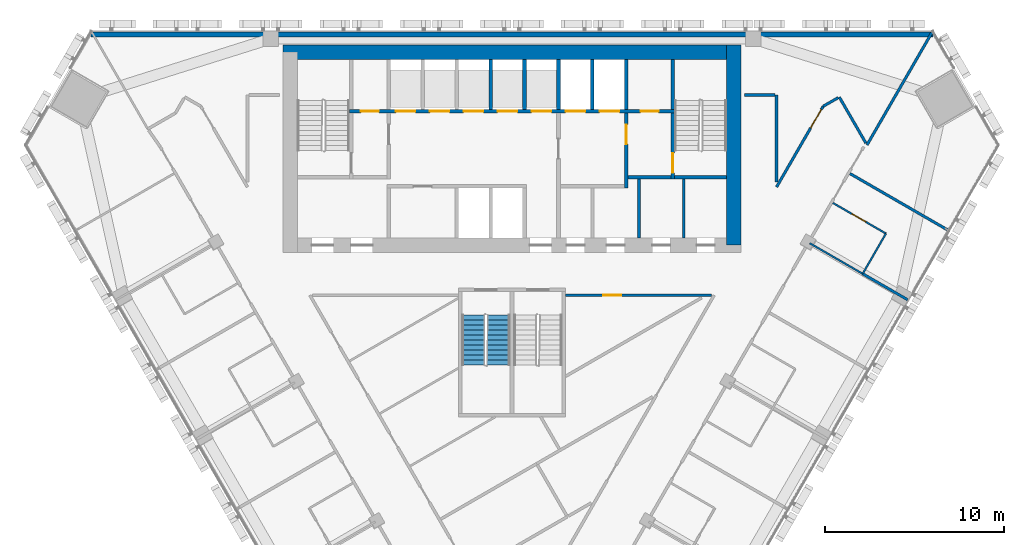
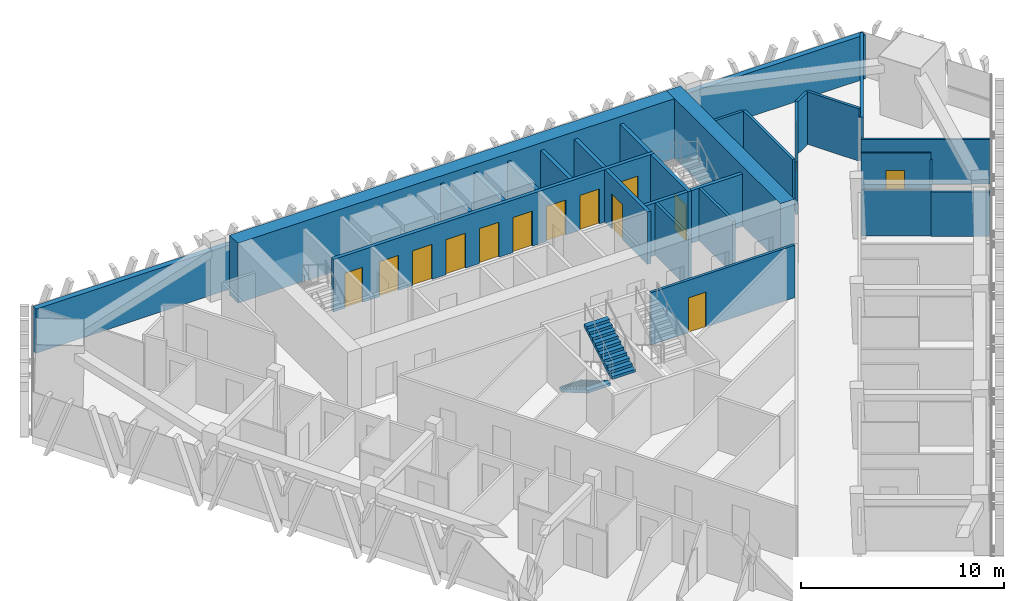
# One storey, part 12 of 16: 28 walls, 14 doors, 2 stair flights, 14 openings, 1 element without a shape of its own.
"""IFC4 building model written with IfcOpenShell, lengths in metres."""

from ifc_helpers import new_model, si_unit, direction, frame, frame_2d, origin, place, context, subcontext, project, spatial, polyline, rectangle, outline, extrude, material, layer, layer_set, type_object, element, fill, aggregate, save


model = new_model("IFC4")

# Units and contexts
model_context = context("Model", 3, precision=1e-05, world=origin(), true_north=direction((0.0, 1.0)))
body_context = subcontext(model_context, "Body", "Model", "MODEL_VIEW")
ifc_project = project(units=[si_unit("LENGTHUNIT", "METRE"), si_unit("AREAUNIT", "SQUARE_METRE"), si_unit("VOLUMEUNIT", "CUBIC_METRE"), si_unit("PLANEANGLEUNIT", "RADIAN"), si_unit("MASSUNIT", "GRAM", prefix="KILO")], contexts=[model_context])

# Site, building, storey
site_placement = place(None, origin())
site = spatial("IfcSite", under=ifc_project, at=site_placement, CompositionType="ELEMENT")
building_placement = place(site_placement, origin())
building = spatial("IfcBuilding", under=site, at=building_placement, Name="Altiplano Prism Tower", CompositionType="ELEMENT")
storey_placement = place(building_placement, frame((0.0, 0.0, 149.39990234375)))
storey = spatial("IfcBuildingStorey", under=building, at=storey_placement, Name="L38", CompositionType="ELEMENT", Elevation=149.39990234375)

# Walls
ifc_material_1 = material(Name="Concrete C60/75", Category="concrete")
ifc_layer_1 = layer(ifc_material_1, 0.800048828125)
ifc_layer_set_1 = layer_set([ifc_layer_1], Name="Concrete C60/75")
wall_type_1 = type_object("IfcWallType", Name="Core wall 800", PredefinedType="SHEAR", material=ifc_layer_set_1)
wall_1_placement = place(storey_placement, frame((97.39990234375, 93.0, 0.0), z_axis=(0.0, 0.0, 1.0), x_axis=(0.0, 1.0, 0.0)))
element("IfcWall", 1, at=wall_1_placement, inside=storey, type_object=wall_type_1, Name="Core wall E L38", PredefinedType="SHEAR", context=body_context, shape_type="SweptSolid", body=[
    extrude(rectangle(XDim=11.199951171875, YDim=0.800048828125, at=frame_2d((5.60009765625, 0.0))), origin(), (0.0, 0.0, 1.0), 3.60009765625),
])
wall_2_placement = place(storey_placement, frame((97.39990234375, 103.800048828125, 0.0), z_axis=(0.0, 0.0, 1.0), x_axis=(-1.0, 0.0, 0.0)))
element("IfcWall", 2, at=wall_2_placement, inside=storey, type_object=wall_type_1, Name="Core wall N L38", PredefinedType="SHEAR", context=body_context, shape_type="SweptSolid", body=[
    extrude(rectangle(XDim=25.199951171875, YDim=0.800048828125, at=frame_2d((12.60009765625, 0.0))), origin(), (0.0, 0.0, 1.0), 3.60009765625),
])

# Wall, opening, door
ifc_material_2 = material(Name="Plasterboard on steel stud", Category="steel")
ifc_layer_2 = layer(ifc_material_2, 0.10009765625)
ifc_layer_set_2 = layer_set([ifc_layer_2], Name="Plasterboard on steel stud")
wall_type_2 = type_object("IfcWallType", Name="Partition 100 unit", PredefinedType="PARTITIONING", material=ifc_layer_set_2)
wall_3_placement = place(storey_placement, frame((102.95263671875, 95.365966796875, 0.0), z_axis=(0.0, 0.0, 1.0), x_axis=(0.866032454348, -0.499987787867, 0.0)))
wall_3 = element("IfcWall", 3, at=wall_3_placement, inside=storey, type_object=wall_type_2, Name="Partition P02 L38 070", PredefinedType="PARTITIONING", context=body_context, shape_type="SweptSolid", body=[
    extrude(rectangle(XDim=3.4248046875, YDim=0.10009765625, at=frame_2d((1.71240234375, 0.0))), origin(), (0.0, 0.0, 1.0), 3.150146484375),
])
opening_1_placement = place(wall_3_placement, frame((1.22509765625, 0.0, 0.0)))
opening_1 = element("IfcOpeningElement", 4, at=opening_1_placement, cuts=wall_3, Name="Opening D1409", PredefinedType="OPENING", context=body_context, shape_type="SweptSolid", body=[
    extrude(rectangle(XDim=0.89990234375, YDim=2.10009765625, at=frame_2d((0.449951171875, 1.050048828125))), frame((0.0, 0.060546875, 0.0), z_axis=(0.0, -1.0, 0.0), x_axis=(1.0, 0.0, 0.0)), (0.0, 0.0, 1.0), 0.12109375),
])
ifc_material_3 = material(Name="Timber", Category="wood")
door_type_1 = type_object("IfcDoorType", Name="Accessible ensuite door 900 x 2100", OperationType="NOTDEFINED", PredefinedType="NOTDEFINED", material=ifc_material_3)
door_1_placement = place(opening_1_placement, origin())
door_1 = element("IfcDoor", 5, at=door_1_placement, inside=storey, type_object=door_type_1, Name="Door D1409", OperationType="SINGLE_SWING_RIGHT", OverallHeight=2.10009765625, OverallWidth=0.89990234375, PredefinedType="NOTDEFINED", context=body_context, shape_type="SweptSolid", body=[
    extrude(rectangle(XDim=0.89990234375, YDim=2.10009765625, at=frame_2d((0.449951171875, 1.050048828125))), frame((0.0, 0.02490234375, 0.0), z_axis=(0.0, -1.0, 0.0), x_axis=(1.0, 0.0, 0.0)), (0.0, 0.0, 1.0), 0.050048828125),
])
fill(opening_1, door_1)

# Walls
wall_4_placement = place(storey_placement, frame((105.918701171875, 93.653564453125, 0.0), z_axis=(0.0, 0.0, 1.0), x_axis=(-0.499936506574, -0.866062058628, 0.0)))
element("IfcWall", 6, at=wall_4_placement, inside=storey, type_object=wall_type_2, Name="Partition P02 L38 071", PredefinedType="PARTITIONING", context=body_context, shape_type="SweptSolid", body=[
    extrude(rectangle(XDim=2.599853515625, YDim=0.10009765625, at=frame_2d((1.2998046875, 0.0))), origin(), (0.0, 0.0, 1.0), 2.75),
])
ifc_layer_3 = layer(ifc_material_2, 0.10009765625)
ifc_layer_set_3 = layer_set([ifc_layer_3], Name="Plasterboard on steel stud")
wall_type_3 = type_object("IfcWallType", Name="Partition 100 wet", PredefinedType="PARTITIONING", material=ifc_layer_set_3)
wall_5_placement = place(storey_placement, frame((104.618896484375, 91.40185546875, 0.0), z_axis=(0.0, 0.0, 1.0), x_axis=(-0.866019409031, 0.500010383074, 0.0)))
element("IfcWall", 7, at=wall_5_placement, inside=storey, type_object=wall_type_3, Name="Partition P03 L38 069", PredefinedType="PARTITIONING", context=body_context, shape_type="SweptSolid", body=[
    extrude(rectangle(XDim=3.42529296875, YDim=0.10009765625, at=frame_2d((1.712646484375, 0.0))), origin(), (0.0, 0.0, 1.0), 2.75),
])

# Wall, opening, door
ifc_layer_4 = layer(ifc_material_2, 0.14990234375)
ifc_layer_set_4 = layer_set([ifc_layer_4], Name="Plasterboard on steel stud")
wall_type_4 = type_object("IfcWallType", Name="Partition 150 corridor", PredefinedType="PARTITIONING", material=ifc_layer_set_4)
wall_6_placement = place(storey_placement, frame((88.0, 90.199951171875, 0.0), z_axis=(0.0, 0.0, 1.0), x_axis=(1.0, 0.0, 0.0)))
wall_6 = element("IfcWall", 8, at=wall_6_placement, inside=storey, type_object=wall_type_4, Name="Partition P06 L38 002", PredefinedType="PARTITIONING", context=body_context, shape_type="SweptSolid", body=[
    extrude(rectangle(XDim=8.174072265625, YDim=0.14990234375, at=frame_2d((4.0869140625, 0.0))), origin(), (0.0, 0.0, 1.0), 3.150146484375),
])
opening_2_placement = place(wall_6_placement, frame((2.115966796875, 0.0, 0.0)))
opening_2 = element("IfcOpeningElement", 9, at=opening_2_placement, cuts=wall_6, Name="Opening D1377", PredefinedType="OPENING", context=body_context, shape_type="SweptSolid", body=[
    extrude(rectangle(XDim=1.0, YDim=2.10009765625, at=frame_2d((0.5, 1.050048828125))), frame((0.0, 0.08544921875, 0.0), z_axis=(0.0, -1.0, 0.0), x_axis=(1.0, 0.0, 0.0)), (0.0, 0.0, 1.0), 0.1708984375),
])
door_type_2 = type_object("IfcDoorType", Name="Store door 1000 x 2100", OperationType="NOTDEFINED", PredefinedType="NOTDEFINED", material=ifc_material_3)
door_2_placement = place(opening_2_placement, origin())
door_2 = element("IfcDoor", 10, at=door_2_placement, inside=storey, type_object=door_type_2, Name="Door D1377", OperationType="SINGLE_SWING_LEFT", OverallHeight=2.10009765625, OverallWidth=1.0, PredefinedType="NOTDEFINED", context=body_context, shape_type="SweptSolid", body=[
    extrude(rectangle(XDim=1.0, YDim=2.10009765625, at=frame_2d((0.5, 1.050048828125))), frame((0.0, 0.02490234375, 0.0), z_axis=(0.0, -1.0, 0.0), x_axis=(1.0, 0.0, 0.0)), (0.0, 0.0, 1.0), 0.050048828125),
])
fill(opening_2, door_2)

# Walls
wall_7_placement = place(storey_placement, frame((104.798095703125, 98.712158203125, 0.0), z_axis=(0.0, 0.0, 1.0), x_axis=(-0.500001626982, 0.866024464444, 0.0)))
element("IfcWall", 11, at=wall_7_placement, inside=storey, type_object=wall_type_4, Name="Partition P06 L38 008", PredefinedType="PARTITIONING", context=body_context, shape_type="SweptSolid", body=[
    extrude(rectangle(XDim=2.9775390625, YDim=0.14990234375, at=frame_2d((1.48876953125, 0.0))), origin(), (0.0, 0.0, 1.0), 3.150146484375),
])
wall_8_placement = place(storey_placement, frame((103.244384765625, 101.253173828125, 0.0), z_axis=(0.0, 0.0, 1.0), x_axis=(-0.866093196455, -0.499882561262, 0.0)))
element("IfcWall", 12, at=wall_8_placement, inside=storey, type_object=wall_type_4, Name="Partition P06 L38 009", PredefinedType="PARTITIONING", context=body_context, shape_type="SweptSolid", body=[
    extrude(rectangle(XDim=0.968017578125, YDim=0.14990234375, at=frame_2d((0.48388671875, 0.0))), origin(), (0.0, 0.0, 1.0), 3.150146484375),
])

# Wall, opening, door
wall_9_placement = place(storey_placement, frame((102.406005859375, 100.769287109375, 0.0), z_axis=(0.0, 0.0, 1.0), x_axis=(-0.499977898262, -0.866038163853, 0.0)))
wall_9 = element("IfcWall", 13, at=wall_9_placement, inside=storey, type_object=wall_type_4, Name="Partition P06 L38 010", PredefinedType="PARTITIONING", context=body_context, shape_type="SweptSolid", body=[
    extrude(rectangle(XDim=5.212158203125, YDim=0.14990234375, at=frame_2d((2.60595703125, 0.0))), origin(), (0.0, 0.0, 1.0), 3.150146484375),
])
opening_3_placement = place(wall_9_placement, frame((0.199951171875, 0.0, 0.0)))
opening_3 = element("IfcOpeningElement", 14, at=opening_3_placement, cuts=wall_9, Name="Opening D1411", PredefinedType="OPENING", context=body_context, shape_type="SweptSolid", body=[
    extrude(rectangle(XDim=1.199951171875, YDim=2.10009765625, at=frame_2d((0.60009765625, 1.050048828125))), frame((0.0, 0.08544921875, 0.0), z_axis=(0.0, -1.0, 0.0), x_axis=(1.0, 0.0, 0.0)), (0.0, 0.0, 1.0), 0.1708984375),
])
door_type_3 = type_object("IfcDoorType", Name="Shared room door 1200 x 2100", OperationType="NOTDEFINED", PredefinedType="NOTDEFINED", material=ifc_material_3)
door_3_placement = place(opening_3_placement, origin())
door_3 = element("IfcDoor", 15, at=door_3_placement, inside=storey, type_object=door_type_3, Name="Door D1411", OperationType="SINGLE_SWING_RIGHT", OverallHeight=2.10009765625, OverallWidth=1.199951171875, PredefinedType="NOTDEFINED", context=body_context, shape_type="SweptSolid", body=[
    extrude(rectangle(XDim=1.199951171875, YDim=2.10009765625, at=frame_2d((0.60009765625, 1.050048828125))), frame((0.0, 0.02490234375, 0.0), z_axis=(0.0, -1.0, 0.0), x_axis=(1.0, 0.0, 0.0)), (0.0, 0.0, 1.0), 0.050048828125),
])
fill(opening_3, door_3)

# Walls
wall_10_placement = place(storey_placement, frame((99.800048828125, 96.535400390625, 0.0), z_axis=(0.0, 0.0, 1.0), x_axis=(0.0, 1.0, 0.0)))
element("IfcWall", 16, at=wall_10_placement, inside=storey, type_object=wall_type_4, Name="Partition P06 L38 011", PredefinedType="PARTITIONING", context=body_context, shape_type="SweptSolid", body=[
    extrude(rectangle(XDim=4.864501953125, YDim=0.14990234375, at=frame_2d((2.43212890625, 0.0))), origin(), (0.0, 0.0, 1.0), 3.150146484375),
])
wall_11_placement = place(storey_placement, frame((99.72509765625, 101.39990234375, 0.0), z_axis=(0.0, 0.0, 1.0), x_axis=(-1.0, 0.0, 0.0)))
element("IfcWall", 17, at=wall_11_placement, inside=storey, type_object=wall_type_4, Name="Partition P06 L38 012", PredefinedType="PARTITIONING", context=body_context, shape_type="SweptSolid", body=[
    extrude(rectangle(XDim=1.72509765625, YDim=0.14990234375, at=frame_2d((0.862548828125, 0.0))), origin(), (0.0, 0.0, 1.0), 3.150146484375),
])
ifc_layer_5 = layer(ifc_material_2, 0.14990234375)
ifc_layer_set_5 = layer_set([ifc_layer_5], Name="Plasterboard on steel stud")
wall_type_5 = type_object("IfcWallType", Name="Partition 150 party", PredefinedType="PARTITIONING", material=ifc_layer_set_5)
wall_12_placement = place(storey_placement, frame((107.13037109375, 89.951904296875, 0.0), z_axis=(0.0, 0.0, 1.0), x_axis=(-0.866032775405, 0.499987231761, 0.0)))
element("IfcWall", 18, at=wall_12_placement, inside=storey, type_object=wall_type_5, Name="Partition P01 L38 068", PredefinedType="PARTITIONING", context=body_context, shape_type="SweptSolid", body=[
    extrude(rectangle(XDim=2.89990234375, YDim=0.14990234375, at=frame_2d((1.449951171875, 0.0))), origin(), (0.0, 0.0, 1.0), 2.650146484375),
])
wall_13_placement = place(storey_placement, frame((109.397705078125, 93.8388671875, 0.0), z_axis=(0.0, 0.0, 1.0), x_axis=(-0.866025401434, 0.500000004071, 0.0)))
element("IfcWall", 19, at=wall_13_placement, inside=storey, type_object=wall_type_5, Name="Partition P01 L38 072", PredefinedType="PARTITIONING", context=body_context, shape_type="SweptSolid", body=[
    extrude(rectangle(XDim=6.34521484375, YDim=0.14990234375, at=frame_2d((3.172607421875, 0.0))), origin(), (0.0, 0.0, 1.0), 2.650146484375),
])
wall_14_placement = place(storey_placement, frame((108.492919921875, 104.89990234375, 0.0), z_axis=(0.0, 0.0, 1.0), x_axis=(-0.500012280482, -0.866018313528, 0.0)))
element("IfcWall", 20, at=wall_14_placement, inside=storey, type_object=wall_type_5, Name="Partition P01 L38 073", PredefinedType="PARTITIONING", context=body_context, shape_type="SweptSolid", body=[
    extrude(rectangle(XDim=7.267333984375, YDim=0.14990234375, at=frame_2d((3.6337890625, 0.0))), origin(), (0.0, 0.0, 1.0), 2.650146484375),
])
ifc_material_4 = material(Name="Fire-rated gypsum board partition")
ifc_layer_6 = layer(ifc_material_4, 0.14990234375)
ifc_layer_set_6 = layer_set([ifc_layer_6], Name="Fire-rated gypsum board partition")
wall_type_6 = type_object("IfcWallType", Name="Room partition 150", PredefinedType="PARTITIONING", material=ifc_layer_set_6)
for number, where, z_axis, x_axis, name in (
    (21, (92.10009765625, 93.39990234375, 0.0), (0.0, 0.0, 1.0), (0.0, 1.0, 0.0), "Room partition L38"),
    (22, (94.60009765625, 93.39990234375, 0.0), (0.0, 0.0, 1.0), (0.0, 1.0, 0.0), "Room partition L38"),
):
    element("IfcWall", number, at=place(storey_placement, frame(where, z_axis=z_axis, x_axis=x_axis)), inside=storey, type_object=wall_type_6, Name=name, PredefinedType="PARTITIONING", context=body_context, shape_type="SweptSolid", body=[
        extrude(rectangle(XDim=3.300048828125, YDim=0.14990234375, at=frame_2d((1.64990234375, 0.0))), origin(), (0.0, 0.0, 1.0), 3.150146484375),
    ])
ifc_layer_7 = layer(ifc_material_1, 0.199951171875)
ifc_layer_set_7 = layer_set([ifc_layer_7], Name="Concrete C60/75")
wall_type_7 = type_object("IfcWallType", Name="Shaft wall 200", PredefinedType="SOLIDWALL", material=ifc_layer_set_7)
for number, where, z_axis, x_axis, name in (
    (23, (83.800048828125, 100.60009765625, 0.0), (0.0, 0.0, 1.0), (0.0, 1.0, 0.0), "Shaft wall L38"),
    (24, (85.699951171875, 100.60009765625, 0.0), (0.0, 0.0, 1.0), (0.0, 1.0, 0.0), "Shaft wall L38"),
    (25, (87.60009765625, 100.60009765625, 0.0), (0.0, 0.0, 1.0), (0.0, 1.0, 0.0), "Shaft wall L38"),
    (26, (89.5, 100.60009765625, 0.0), (0.0, 0.0, 1.0), (0.0, 1.0, 0.0), "Shaft wall L38"),
    (27, (91.39990234375, 100.60009765625, 0.0), (0.0, 0.0, 1.0), (0.0, 1.0, 0.0), "Shaft wall L38"),
):
    element("IfcWall", number, at=place(storey_placement, frame(where, z_axis=z_axis, x_axis=x_axis)), inside=storey, type_object=wall_type_7, Name=name, PredefinedType="SOLIDWALL", context=body_context, shape_type="SweptSolid", body=[
        extrude(rectangle(XDim=2.7998046875, YDim=0.199951171875, at=frame_2d((1.39990234375, 0.0))), origin(), (0.0, 0.0, 1.0), 3.150146484375),
    ])

# Wall, opening, door
ifc_layer_8 = layer(ifc_material_1, 0.199951171875)
ifc_layer_set_8 = layer_set([ifc_layer_8], Name="Concrete C60/75")
wall_type_8 = type_object("IfcWallType", Name="Stair wall 200", PredefinedType="SOLIDWALL", material=ifc_layer_set_8)
wall_15_placement = place(storey_placement, frame((94.0, 96.699951171875, 0.0), z_axis=(0.0, 0.0, 1.0), x_axis=(0.0, 1.0, 0.0)))
wall_15 = element("IfcWall", 28, at=wall_15_placement, inside=storey, type_object=wall_type_8, Name="Stair wall L38", PredefinedType="SOLIDWALL", context=body_context, shape_type="SweptSolid", body=[
    extrude(rectangle(XDim=3.699951171875, YDim=0.199951171875, at=frame_2d((1.85009765625, 0.0))), origin(), (0.0, 0.0, 1.0), 3.150146484375),
])
opening_4_placement = place(wall_15_placement, frame((0.35009765625, 0.0, 0.0)))
opening_4 = element("IfcOpeningElement", 29, at=opening_4_placement, cuts=wall_15, Name="Opening D3098", PredefinedType="OPENING", context=body_context, shape_type="SweptSolid", body=[
    extrude(rectangle(XDim=1.10009765625, YDim=2.10009765625, at=frame_2d((0.550048828125, 1.050048828125))), frame((0.0, 0.1103515625, 0.0), z_axis=(0.0, -1.0, 0.0), x_axis=(1.0, 0.0, 0.0)), (0.0, 0.0, 1.0), 0.220947265625),
])
ifc_material_5 = material(Name="Fire-rated steel door", Category="steel")
door_type_4 = type_object("IfcDoorType", Name="Stair fire door 1100 x 2100", OperationType="NOTDEFINED", PredefinedType="NOTDEFINED", material=ifc_material_5)
door_4_placement = place(opening_4_placement, origin())
door_4 = element("IfcDoor", 30, at=door_4_placement, inside=storey, type_object=door_type_4, Name="Stair fire door D3098", OperationType="SINGLE_SWING_LEFT", OverallHeight=2.10009765625, OverallWidth=1.10009765625, PredefinedType="NOTDEFINED", context=body_context, shape_type="SweptSolid", body=[
    extrude(rectangle(XDim=1.10009765625, YDim=2.10009765625, at=frame_2d((0.550048828125, 1.050048828125))), frame((0.0, 0.02490234375, 0.0), z_axis=(0.0, -1.0, 0.0), x_axis=(1.0, 0.0, 0.0)), (0.0, 0.0, 1.0), 0.050048828125),
])
fill(opening_4, door_4)

# Wall
wall_16_placement = place(storey_placement, frame((94.10009765625, 96.800048828125, 0.0), z_axis=(0.0, 0.0, 1.0), x_axis=(1.0, 0.0, 0.0)))
element("IfcWall", 31, at=wall_16_placement, inside=storey, type_object=wall_type_8, Name="Stair wall L38", PredefinedType="SOLIDWALL", context=body_context, shape_type="SweptSolid", body=[
    extrude(rectangle(XDim=2.89990234375, YDim=0.199951171875, at=frame_2d((1.449951171875, 0.0))), origin(), (0.0, 0.0, 1.0), 3.150146484375),
])

# Wall, openings, doors
wall_17_placement = place(storey_placement, frame((75.89990234375, 100.5, 0.0), z_axis=(0.0, 0.0, 1.0), x_axis=(1.0, 0.0, 0.0)))
wall_17 = element("IfcWall", 32, at=wall_17_placement, inside=storey, type_object=wall_type_8, Name="Stair wall L38", PredefinedType="SOLIDWALL", context=body_context, shape_type="SweptSolid", body=[
    extrude(rectangle(XDim=18.2001953125, YDim=0.199951171875, at=frame_2d((9.10009765625, 0.0))), origin(), (0.0, 0.0, 1.0), 3.150146484375),
])
opening_5_placement = place(wall_17_placement, frame((2.60009765625, 0.0, 0.0)))
opening_5 = element("IfcOpeningElement", 33, at=opening_5_placement, cuts=wall_17, Name="Opening LD-ML1-L38", PredefinedType="OPENING", context=body_context, shape_type="SweptSolid", body=[
    extrude(rectangle(XDim=1.10009765625, YDim=2.10009765625, at=frame_2d((0.550048828125, 1.050048828125))), frame((0.0, 0.1103515625, 0.0), z_axis=(0.0, -1.0, 0.0), x_axis=(1.0, 0.0, 0.0)), (0.0, 0.0, 1.0), 0.220947265625),
])
opening_6_placement = place(wall_17_placement, frame((4.5, 0.0, 0.0)))
opening_6 = element("IfcOpeningElement", 34, at=opening_6_placement, cuts=wall_17, Name="Opening LD-ML2-L38", PredefinedType="OPENING", context=body_context, shape_type="SweptSolid", body=[
    extrude(rectangle(XDim=1.10009765625, YDim=2.10009765625, at=frame_2d((0.550048828125, 1.050048828125))), frame((0.0, 0.1103515625, 0.0), z_axis=(0.0, -1.0, 0.0), x_axis=(1.0, 0.0, 0.0)), (0.0, 0.0, 1.0), 0.220947265625),
])
opening_7_placement = place(wall_17_placement, frame((6.39990234375, 0.0, 0.0)))
opening_7 = element("IfcOpeningElement", 35, at=opening_7_placement, cuts=wall_17, Name="Opening LD-ML3-L38", PredefinedType="OPENING", context=body_context, shape_type="SweptSolid", body=[
    extrude(rectangle(XDim=1.10009765625, YDim=2.10009765625, at=frame_2d((0.550048828125, 1.050048828125))), frame((0.0, 0.1103515625, 0.0), z_axis=(0.0, -1.0, 0.0), x_axis=(1.0, 0.0, 0.0)), (0.0, 0.0, 1.0), 0.220947265625),
])
opening_8_placement = place(wall_17_placement, frame((8.300048828125, 0.0, 0.0)))
opening_8 = element("IfcOpeningElement", 36, at=opening_8_placement, cuts=wall_17, Name="Opening LD-ML4-L38", PredefinedType="OPENING", context=body_context, shape_type="SweptSolid", body=[
    extrude(rectangle(XDim=1.10009765625, YDim=2.10009765625, at=frame_2d((0.550048828125, 1.050048828125))), frame((0.0, 0.1103515625, 0.0), z_axis=(0.0, -1.0, 0.0), x_axis=(1.0, 0.0, 0.0)), (0.0, 0.0, 1.0), 0.220947265625),
])
opening_9_placement = place(wall_17_placement, frame((10.199951171875, 0.0, 0.0)))
opening_9 = element("IfcOpeningElement", 37, at=opening_9_placement, cuts=wall_17, Name="Opening LD-ML5-L38", PredefinedType="OPENING", context=body_context, shape_type="SweptSolid", body=[
    extrude(rectangle(XDim=1.10009765625, YDim=2.10009765625, at=frame_2d((0.550048828125, 1.050048828125))), frame((0.0, 0.1103515625, 0.0), z_axis=(0.0, -1.0, 0.0), x_axis=(1.0, 0.0, 0.0)), (0.0, 0.0, 1.0), 0.220947265625),
])
opening_10_placement = place(wall_17_placement, frame((12.10009765625, 0.0, 0.0)))
opening_10 = element("IfcOpeningElement", 38, at=opening_10_placement, cuts=wall_17, Name="Opening LD-FF1-L38", PredefinedType="OPENING", context=body_context, shape_type="SweptSolid", body=[
    extrude(rectangle(XDim=1.10009765625, YDim=2.10009765625, at=frame_2d((0.550048828125, 1.050048828125))), frame((0.0, 0.1103515625, 0.0), z_axis=(0.0, -1.0, 0.0), x_axis=(1.0, 0.0, 0.0)), (0.0, 0.0, 1.0), 0.220947265625),
])
opening_11_placement = place(wall_17_placement, frame((14.0, 0.0, 0.0)))
opening_11 = element("IfcOpeningElement", 39, at=opening_11_placement, cuts=wall_17, Name="Opening LD-FF2-L38", PredefinedType="OPENING", context=body_context, shape_type="SweptSolid", body=[
    extrude(rectangle(XDim=1.10009765625, YDim=2.10009765625, at=frame_2d((0.550048828125, 1.050048828125))), frame((0.0, 0.1103515625, 0.0), z_axis=(0.0, -1.0, 0.0), x_axis=(1.0, 0.0, 0.0)), (0.0, 0.0, 1.0), 0.220947265625),
])
opening_12_placement = place(wall_17_placement, frame((0.64990234375, 0.0, 0.0)))
opening_12 = element("IfcOpeningElement", 40, at=opening_12_placement, cuts=wall_17, Name="Opening D3105", PredefinedType="OPENING", context=body_context, shape_type="SweptSolid", body=[
    extrude(rectangle(XDim=1.0, YDim=2.10009765625, at=frame_2d((0.5, 1.050048828125))), frame((0.0, 0.1103515625, 0.0), z_axis=(0.0, -1.0, 0.0), x_axis=(1.0, 0.0, 0.0)), (0.0, 0.0, 1.0), 0.220947265625),
])
opening_13_placement = place(wall_17_placement, frame((16.300048828125, 0.0, 0.0)))
opening_13 = element("IfcOpeningElement", 41, at=opening_13_placement, cuts=wall_17, Name="Opening D3106", PredefinedType="OPENING", context=body_context, shape_type="SweptSolid", body=[
    extrude(rectangle(XDim=1.0, YDim=2.10009765625, at=frame_2d((0.5, 1.050048828125))), frame((0.0, 0.1103515625, 0.0), z_axis=(0.0, -1.0, 0.0), x_axis=(1.0, 0.0, 0.0)), (0.0, 0.0, 1.0), 0.220947265625),
])
door_type_5 = type_object("IfcDoorType", Name="Core room door 1000 x 2100", OperationType="NOTDEFINED", PredefinedType="NOTDEFINED", material=ifc_material_5)
door_5_placement = place(opening_12_placement, origin())
door_5 = element("IfcDoor", 42, at=door_5_placement, inside=storey, type_object=door_type_5, Name="Core room door D3105", OperationType="SINGLE_SWING_LEFT", OverallHeight=2.10009765625, OverallWidth=1.0, PredefinedType="NOTDEFINED", context=body_context, shape_type="SweptSolid", body=[
    extrude(rectangle(XDim=1.0, YDim=2.10009765625, at=frame_2d((0.5, 1.050048828125))), frame((0.0, 0.02490234375, 0.0), z_axis=(0.0, -1.0, 0.0), x_axis=(1.0, 0.0, 0.0)), (0.0, 0.0, 1.0), 0.050048828125),
])
fill(opening_12, door_5)
door_6_placement = place(opening_13_placement, origin())
door_6 = element("IfcDoor", 43, at=door_6_placement, inside=storey, type_object=door_type_5, Name="Core room door D3106", OperationType="SINGLE_SWING_RIGHT", OverallHeight=2.10009765625, OverallWidth=1.0, PredefinedType="NOTDEFINED", context=body_context, shape_type="SweptSolid", body=[
    extrude(rectangle(XDim=1.0, YDim=2.10009765625, at=frame_2d((0.5, 1.050048828125))), frame((0.0, 0.02490234375, 0.0), z_axis=(0.0, -1.0, 0.0), x_axis=(1.0, 0.0, 0.0)), (0.0, 0.0, 1.0), 0.050048828125),
])
fill(opening_13, door_6)
ifc_material_6 = material(Name="Stainless steel landing door", Category="steel")
door_type_6 = type_object("IfcDoorType", Name="Landing door 1100 x 2100", OperationType="NOTDEFINED", PredefinedType="NOTDEFINED", material=ifc_material_6)
door_7_placement = place(opening_5_placement, origin())
door_7 = element("IfcDoor", 44, at=door_7_placement, inside=storey, type_object=door_type_6, Name="Landing doors ML1", OperationType="SLIDING_TO_RIGHT", OverallHeight=2.10009765625, OverallWidth=1.10009765625, PredefinedType="NOTDEFINED", context=body_context, shape_type="SweptSolid", body=[
    extrude(rectangle(XDim=1.10009765625, YDim=2.10009765625, at=frame_2d((0.550048828125, 1.050048828125))), frame((0.0, 0.02490234375, 0.0), z_axis=(0.0, -1.0, 0.0), x_axis=(1.0, 0.0, 0.0)), (0.0, 0.0, 1.0), 0.050048828125),
])
fill(opening_5, door_7)
door_8_placement = place(opening_6_placement, origin())
door_8 = element("IfcDoor", 45, at=door_8_placement, inside=storey, type_object=door_type_6, Name="Landing doors ML2", OperationType="SLIDING_TO_LEFT", OverallHeight=2.10009765625, OverallWidth=1.10009765625, PredefinedType="NOTDEFINED", context=body_context, shape_type="SweptSolid", body=[
    extrude(rectangle(XDim=1.10009765625, YDim=2.10009765625, at=frame_2d((0.550048828125, 1.050048828125))), frame((0.0, 0.02490234375, 0.0), z_axis=(0.0, -1.0, 0.0), x_axis=(1.0, 0.0, 0.0)), (0.0, 0.0, 1.0), 0.050048828125),
])
fill(opening_6, door_8)
door_9_placement = place(opening_7_placement, origin())
door_9 = element("IfcDoor", 46, at=door_9_placement, inside=storey, type_object=door_type_6, Name="Landing doors ML3", OperationType="SLIDING_TO_RIGHT", OverallHeight=2.10009765625, OverallWidth=1.10009765625, PredefinedType="NOTDEFINED", context=body_context, shape_type="SweptSolid", body=[
    extrude(rectangle(XDim=1.10009765625, YDim=2.10009765625, at=frame_2d((0.550048828125, 1.050048828125))), frame((0.0, 0.02490234375, 0.0), z_axis=(0.0, -1.0, 0.0), x_axis=(1.0, 0.0, 0.0)), (0.0, 0.0, 1.0), 0.050048828125),
])
fill(opening_7, door_9)
door_10_placement = place(opening_8_placement, origin())
door_10 = element("IfcDoor", 47, at=door_10_placement, inside=storey, type_object=door_type_6, Name="Landing doors ML4", OperationType="SLIDING_TO_LEFT", OverallHeight=2.10009765625, OverallWidth=1.10009765625, PredefinedType="NOTDEFINED", context=body_context, shape_type="SweptSolid", body=[
    extrude(rectangle(XDim=1.10009765625, YDim=2.10009765625, at=frame_2d((0.550048828125, 1.050048828125))), frame((0.0, 0.02490234375, 0.0), z_axis=(0.0, -1.0, 0.0), x_axis=(1.0, 0.0, 0.0)), (0.0, 0.0, 1.0), 0.050048828125),
])
fill(opening_8, door_10)
door_11_placement = place(opening_9_placement, origin())
door_11 = element("IfcDoor", 48, at=door_11_placement, inside=storey, type_object=door_type_6, Name="Landing doors ML5", OperationType="SLIDING_TO_RIGHT", OverallHeight=2.10009765625, OverallWidth=1.10009765625, PredefinedType="NOTDEFINED", context=body_context, shape_type="SweptSolid", body=[
    extrude(rectangle(XDim=1.10009765625, YDim=2.10009765625, at=frame_2d((0.550048828125, 1.050048828125))), frame((0.0, 0.02490234375, 0.0), z_axis=(0.0, -1.0, 0.0), x_axis=(1.0, 0.0, 0.0)), (0.0, 0.0, 1.0), 0.050048828125),
])
fill(opening_9, door_11)
door_12_placement = place(opening_10_placement, origin())
door_12 = element("IfcDoor", 49, at=door_12_placement, inside=storey, type_object=door_type_6, Name="Landing doors FF1", OperationType="SLIDING_TO_RIGHT", OverallHeight=2.10009765625, OverallWidth=1.10009765625, PredefinedType="NOTDEFINED", context=body_context, shape_type="SweptSolid", body=[
    extrude(rectangle(XDim=1.10009765625, YDim=2.10009765625, at=frame_2d((0.550048828125, 1.050048828125))), frame((0.0, 0.02490234375, 0.0), z_axis=(0.0, -1.0, 0.0), x_axis=(1.0, 0.0, 0.0)), (0.0, 0.0, 1.0), 0.050048828125),
])
fill(opening_10, door_12)
door_13_placement = place(opening_11_placement, origin())
door_13 = element("IfcDoor", 50, at=door_13_placement, inside=storey, type_object=door_type_6, Name="Landing doors FF2", OperationType="SLIDING_TO_LEFT", OverallHeight=2.10009765625, OverallWidth=1.10009765625, PredefinedType="NOTDEFINED", context=body_context, shape_type="SweptSolid", body=[
    extrude(rectangle(XDim=1.10009765625, YDim=2.10009765625, at=frame_2d((0.550048828125, 1.050048828125))), frame((0.0, 0.02490234375, 0.0), z_axis=(0.0, -1.0, 0.0), x_axis=(1.0, 0.0, 0.0)), (0.0, 0.0, 1.0), 0.050048828125),
])
fill(opening_11, door_13)

# Walls
wall_18_placement = place(storey_placement, frame((94.0, 100.60009765625, 0.0), z_axis=(0.0, 0.0, 1.0), x_axis=(0.0, 1.0, 0.0)))
element("IfcWall", 51, at=wall_18_placement, inside=storey, type_object=wall_type_8, Name="Stair wall L38", PredefinedType="SOLIDWALL", context=body_context, shape_type="SweptSolid", body=[
    extrude(rectangle(XDim=2.7998046875, YDim=0.199951171875, at=frame_2d((1.39990234375, 0.0))), origin(), (0.0, 0.0, 1.0), 3.150146484375),
])
ifc_material_7 = material(Name="Concrete C40", Category="concrete")
ifc_layer_9 = layer(ifc_material_7, 0.300048828125)
ifc_layer_set_9 = layer_set([ifc_layer_9], Name="Concrete C40")
wall_type_9 = type_object("IfcWallType", Name="Stone-clad external wall 300", PredefinedType="SOLIDWALL", material=ifc_layer_set_9)
wall_19_placement = place(storey_placement, frame((61.44921875, 104.7900390625, 0.0), z_axis=(0.0, 0.0, 1.0), x_axis=(1.0, 0.0, 0.0)))
element("IfcWall", 52, at=wall_19_placement, inside=storey, type_object=wall_type_9, Name="External wall north face L38", PredefinedType="SOLIDWALL", context=body_context, shape_type="SweptSolid", body=[
    extrude(rectangle(XDim=47.1015625, YDim=0.300048828125, at=frame_2d((23.55078125, 0.0))), origin(), (0.0, 0.0, 1.0), 2.650146484375),
])

# Wall, opening, door
ifc_layer_10 = layer(ifc_material_1, 0.199951171875)
ifc_layer_set_10 = layer_set([ifc_layer_10], Name="Concrete C60/75")
wall_type_10 = type_object("IfcWallType", Name="Vestibule wall 200", PredefinedType="PARTITIONING", material=ifc_layer_set_10)
wall_20_placement = place(storey_placement, frame((91.39990234375, 96.199951171875, 0.0), z_axis=(0.0, 0.0, 1.0), x_axis=(0.0, 1.0, 0.0)))
wall_20 = element("IfcWall", 53, at=wall_20_placement, inside=storey, type_object=wall_type_10, Name="Vestibule wall L38", PredefinedType="PARTITIONING", context=body_context, shape_type="SweptSolid", body=[
    extrude(rectangle(XDim=4.199951171875, YDim=0.199951171875, at=frame_2d((2.10009765625, 0.0))), origin(), (0.0, 0.0, 1.0), 3.150146484375),
])
opening_14_placement = place(wall_20_placement, frame((2.449951171875, 0.0, 0.0)))
opening_14 = element("IfcOpeningElement", 54, at=opening_14_placement, cuts=wall_20, Name="Opening D3101", PredefinedType="OPENING", context=body_context, shape_type="SweptSolid", body=[
    extrude(rectangle(XDim=1.10009765625, YDim=2.10009765625, at=frame_2d((0.550048828125, 1.050048828125))), frame((0.0, 0.1103515625, 0.0), z_axis=(0.0, -1.0, 0.0), x_axis=(1.0, 0.0, 0.0)), (0.0, 0.0, 1.0), 0.220947265625),
])
door_type_7 = type_object("IfcDoorType", Name="Vestibule fire door 1100 x 2100", OperationType="NOTDEFINED", PredefinedType="NOTDEFINED", material=ifc_material_5)
door_14_placement = place(opening_14_placement, origin())
door_14 = element("IfcDoor", 55, at=door_14_placement, inside=storey, type_object=door_type_7, Name="Vestibule fire door D3101", OperationType="SINGLE_SWING_LEFT", OverallHeight=2.10009765625, OverallWidth=1.10009765625, PredefinedType="NOTDEFINED", context=body_context, shape_type="SweptSolid", body=[
    extrude(rectangle(XDim=1.10009765625, YDim=2.10009765625, at=frame_2d((0.550048828125, 1.050048828125))), frame((0.0, 0.02490234375, 0.0), z_axis=(0.0, -1.0, 0.0), x_axis=(1.0, 0.0, 0.0)), (0.0, 0.0, 1.0), 0.050048828125),
])
fill(opening_14, door_14)

# Wall
wall_21_placement = place(storey_placement, frame((91.5, 96.800048828125, 0.0), z_axis=(0.0, 0.0, 1.0), x_axis=(1.0, 0.0, 0.0)))
element("IfcWall", 56, at=wall_21_placement, inside=storey, type_object=wall_type_10, Name="Vestibule wall L38", PredefinedType="PARTITIONING", context=body_context, shape_type="SweptSolid", body=[
    extrude(rectangle(XDim=2.39990234375, YDim=0.199951171875, at=frame_2d((1.199951171875, 0.0))), origin(), (0.0, 0.0, 1.0), 3.150146484375),
])

# Stair, stair flights
ifc_material_8 = material(Name="Concrete C40/50", Category="concrete")
stair_type = type_object("IfcStairType", Name="Exit stair 1300", PredefinedType="HALF_TURN_STAIR", material=ifc_material_8)
stair_placement = place(storey_placement, origin())
stair = element("IfcStair", 57, at=stair_placement, inside=storey, type_object=stair_type, Name="L38 Exit Stair 3A", PredefinedType="HALF_TURN_STAIR")
stair_flight_type = type_object("IfcStairFlightType", Name="Stair flight concrete 150", PredefinedType="STRAIGHT", material=ifc_material_8)
stair_flight_1_placement = place(storey_placement, frame((82.85009765625, 89.10009765625, 0.0), z_axis=(0.0, 0.0, 1.0), x_axis=(0.0, -1.0, 0.0)))
stair_flight_1 = element("IfcStairFlight", 58, at=stair_flight_1_placement, type_object=stair_flight_type, Name="ST3A flight 1", NumberOfRisers=11, NumberOfTreads=10, PredefinedType="STRAIGHT", RiserHeight=0.163636364, TreadLength=0.28, context=body_context, shape_type="SweptSolid", body=[
    extrude(outline(polyline([(0.0, 0.0), (0.0, 0.16357421875), (0.280029296875, 0.16357421875), (0.280029296875, 0.327392578125), (0.56005859375, 0.327392578125), (0.56005859375, 0.490966796875), (0.840087890625, 0.490966796875), (0.840087890625, 0.654541015625), (1.1201171875, 0.654541015625), (1.1201171875, 0.818115234375), (1.39990234375, 0.818115234375), (1.39990234375, 0.98193359375), (1.679931640625, 0.98193359375), (1.679931640625, 1.1455078125), (1.9599609375, 1.1455078125), (1.9599609375, 1.30908203125), (2.239990234375, 1.30908203125), (2.239990234375, 1.47265625), (2.52001953125, 1.47265625), (2.52001953125, 1.636474609375), (2.800048828125, 1.636474609375), (2.800048828125, 1.800048828125), (2.800048828125, 1.462646484375), (0.297119140625, 0.0), (0.0, 0.0)])), frame((0.0, 0.64990234375, 0.0), z_axis=(0.0, -1.0, 0.0), x_axis=(1.0, 0.0, 0.0)), (0.0, 0.0, 1.0), 1.300048828125),
])
stair_flight_2_placement = place(storey_placement, frame((84.25, 86.300048828125, 1.800048828125), z_axis=(0.0, 0.0, 1.0), x_axis=(0.0, 1.0, 0.0)))
stair_flight_2 = element("IfcStairFlight", 59, at=stair_flight_2_placement, type_object=stair_flight_type, Name="ST3A flight 2", NumberOfRisers=11, NumberOfTreads=10, PredefinedType="STRAIGHT", RiserHeight=0.163636364, TreadLength=0.28, context=body_context, shape_type="SweptSolid", body=[
    extrude(outline(polyline([(0.0, 0.0), (0.0, 0.16357421875), (0.280029296875, 0.16357421875), (0.280029296875, 0.327392578125), (0.56005859375, 0.327392578125), (0.56005859375, 0.490966796875), (0.840087890625, 0.490966796875), (0.840087890625, 0.654541015625), (1.1201171875, 0.654541015625), (1.1201171875, 0.818115234375), (1.39990234375, 0.818115234375), (1.39990234375, 0.98193359375), (1.679931640625, 0.98193359375), (1.679931640625, 1.1455078125), (1.9599609375, 1.1455078125), (1.9599609375, 1.30908203125), (2.239990234375, 1.30908203125), (2.239990234375, 1.47265625), (2.52001953125, 1.47265625), (2.52001953125, 1.636474609375), (2.800048828125, 1.636474609375), (2.800048828125, 1.800048828125), (2.800048828125, 1.462646484375), (0.297119140625, 0.0), (0.0, 0.0)])), frame((0.0, 0.64990234375, 0.0), z_axis=(0.0, -1.0, 0.0), x_axis=(1.0, 0.0, 0.0)), (0.0, 0.0, 1.0), 1.300048828125),
])
aggregate(stair, [stair_flight_1, stair_flight_2])

save(model, "model.ifc")
